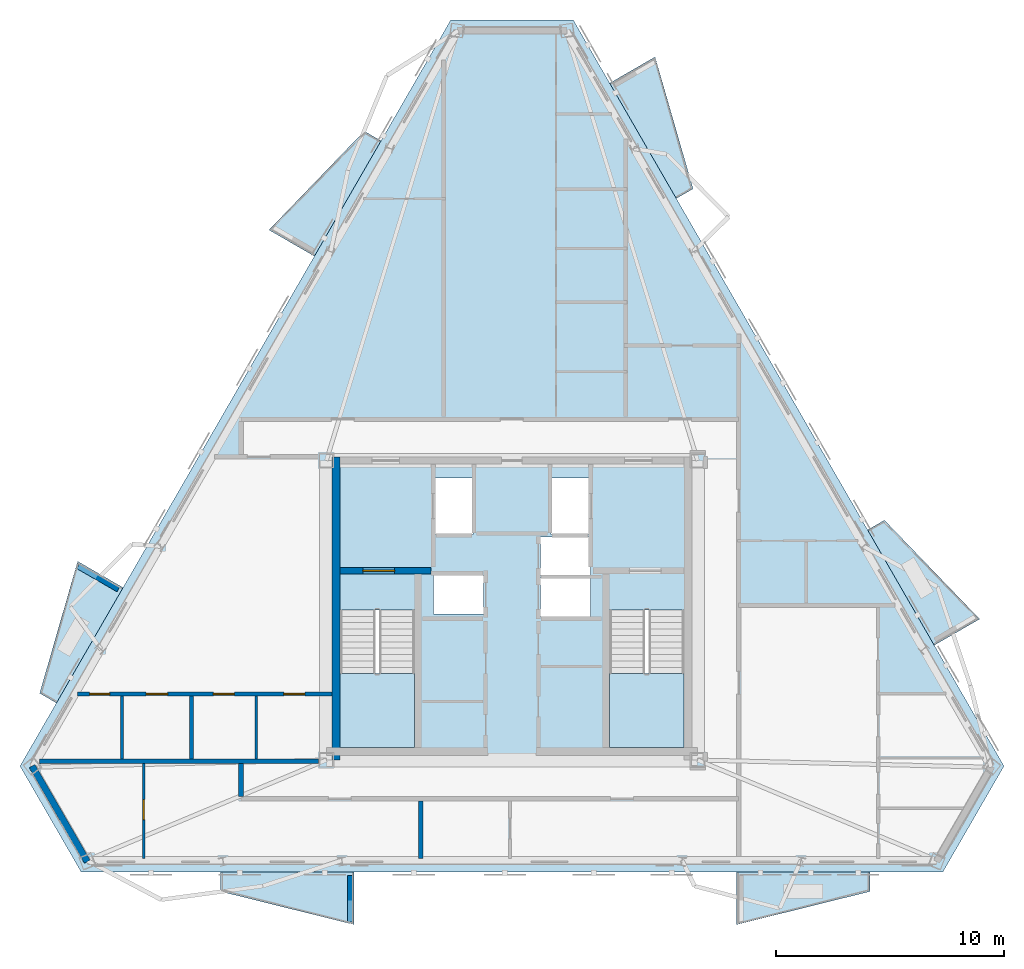
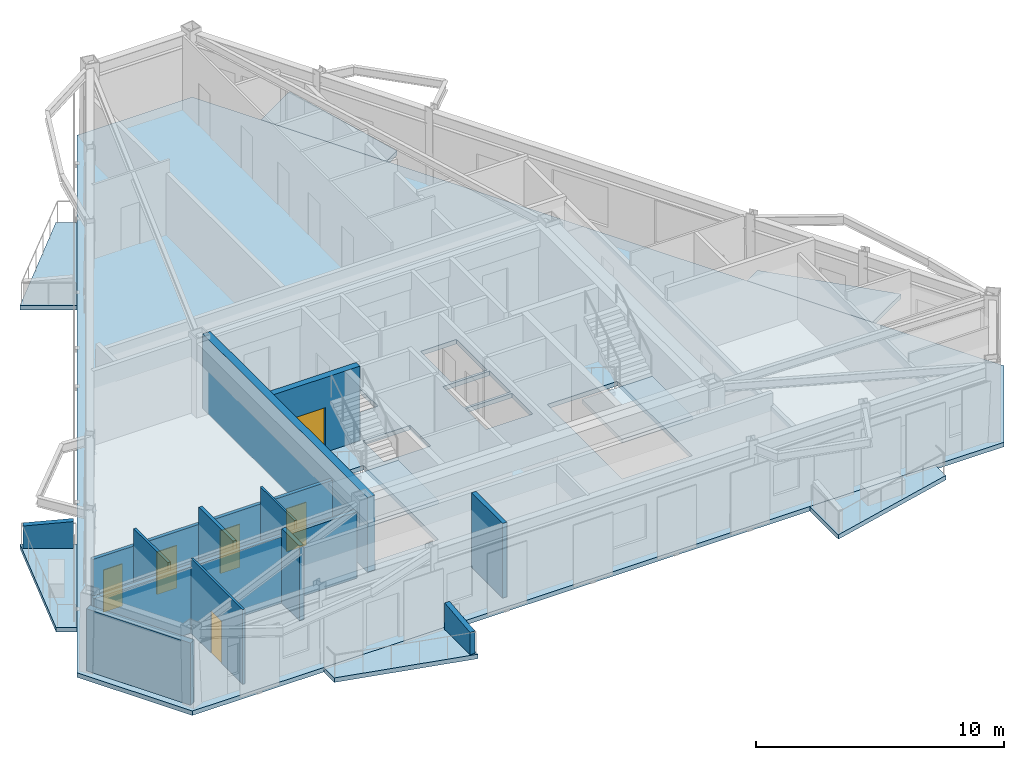
# One storey, part 2 of 9: 13 walls, 9 slabs, 6 doors, 6 openings, 2 elements without a shape of their own.
"""IFC4 building model written with IfcOpenShell, lengths in metres."""

from ifc_helpers import new_model, si_unit, direction, frame, frame_2d, origin, place, context, subcontext, project, spatial, polyline, rectangle, outline, extrude, material, layer, layer_set, type_object, element, fill, aggregate, save


model = new_model("IFC4")

# Units and contexts
model_context = context("Model", 3, precision=1e-05, world=origin(), true_north=direction((0.0, 1.0)))
body_context = subcontext(model_context, "Body", "Model", "MODEL_VIEW")
ifc_project = project(units=[si_unit("LENGTHUNIT", "METRE"), si_unit("AREAUNIT", "SQUARE_METRE"), si_unit("VOLUMEUNIT", "CUBIC_METRE"), si_unit("PLANEANGLEUNIT", "RADIAN"), si_unit("MASSUNIT", "GRAM", prefix="KILO")], contexts=[model_context])

# Site, building, storey
site_placement = place(None, origin())
site = spatial("IfcSite", under=ifc_project, at=site_placement, CompositionType="ELEMENT")
building_placement = place(site_placement, origin())
building = spatial("IfcBuilding", under=site, at=building_placement, Name="Oramaril Tower", CompositionType="ELEMENT")
storey_placement = place(building_placement, frame((0.0, 0.0, 269.39990234375)))
storey = spatial("IfcBuildingStorey", under=building, at=storey_placement, Name="L71", CompositionType="ELEMENT", Elevation=269.39990234375)

# Slabs
ifc_material_1 = material(Name="Concrete C40/50", Category="concrete")
ifc_layer_1 = layer(ifc_material_1, 0.199951171875)
ifc_layer_set_1 = layer_set([ifc_layer_1], Name="SLT-BAL20")
slab_type_1 = type_object("IfcSlabType", Name="SLT-BAL20", PredefinedType="FLOOR", material=ifc_layer_set_1)
slab_1_placement = place(storey_placement, frame((0.0, 0.0, -0.219970703125)))
element("IfcSlab", 1, at=slab_1_placement, inside=storey, type_object=slab_type_1, Name="L71 Cantilevered Balcony Slab L71-BAL-S1", PredefinedType="FLOOR", context=body_context, shape_type="SweptSolid", body=[
    extrude(outline(polyline([(24.71142578125, 6.07666015625), (30.5615234375, 6.07666015625), (30.5615234375, 3.774658203125), (24.71142578125, 5.224609375), (24.71142578125, 6.07666015625)])), origin(), (0.0, 0.0, 1.0), 0.219970703125),
])
slab_2_placement = place(storey_placement, frame((0.0, 0.0, -0.219970703125)))
element("IfcSlab", 2, at=slab_2_placement, inside=storey, type_object=slab_type_1, Name="L71 Cantilevered Balcony Slab L71-BAL-NE2", PredefinedType="FLOOR", context=body_context, shape_type="SweptSolid", body=[
    extrude(outline(polyline([(44.712890625, 35.65380859375), (41.787841796875, 40.719970703125), (43.781494140625, 41.870849609375), (45.45068359375, 36.07958984375), (44.712890625, 35.65380859375)])), origin(), (0.0, 0.0, 1.0), 0.219970703125),
])
slab_3_placement = place(storey_placement, frame((0.0, 0.0, -0.219970703125)))
element("IfcSlab", 3, at=slab_3_placement, inside=storey, type_object=slab_type_1, Name="L71 Cantilevered Balcony Slab L71-BAL-NW1", PredefinedType="FLOOR", context=body_context, shape_type="SweptSolid", body=[
    extrude(outline(polyline([(31.749755859375, 38.186767578125), (28.82470703125, 33.12060546875), (26.8310546875, 34.271484375), (31.011962890625, 38.61279296875), (31.749755859375, 38.186767578125)])), origin(), (0.0, 0.0, 1.0), 0.219970703125),
])
ifc_material_2 = material(Name="Concrete C50/60", Category="concrete")
ifc_layer_2 = layer(ifc_material_2, 0.219970703125)
ifc_layer_set_2 = layer_set([ifc_layer_2], Name="SLT-FLR22")
slab_type_2 = type_object("IfcSlabType", Name="SLT-FLR22", PredefinedType="FLOOR", material=ifc_layer_set_2)
slab_4_placement = place(storey_placement, frame((0.0, 0.0, -0.219970703125)))
element("IfcSlab", 4, at=slab_4_placement, inside=storey, type_object=slab_type_2, Name="L71 Structural Floor Slab", PredefinedType="FLOOR", context=body_context, shape_type="SweptSolid", body=[
    extrude(outline(polyline([(15.89697265625, 10.733154296875), (18.58642578125, 6.07470703125), (56.41357421875, 6.07470703125), (59.10302734375, 10.733154296875), (40.189453125, 43.4921875), (34.810546875, 43.4921875), (15.89697265625, 10.733154296875)]), holes=[polyline([(29.949951171875, 17.58935546875), (29.949951171875, 11.550048828125), (33.219970703125, 11.550048828125), (33.219970703125, 17.58935546875), (29.949951171875, 17.58935546875)]), polyline([(41.780029296875, 17.58935546875), (41.780029296875, 11.550048828125), (45.050048828125, 11.550048828125), (45.050048828125, 17.58935546875), (41.780029296875, 17.58935546875)]), polyline([(34.110107421875, 20.909912109375), (35.7900390625, 20.909912109375), (35.7900390625, 23.389892578125), (34.110107421875, 23.389892578125), (34.110107421875, 20.909912109375)]), polyline([(39.2099609375, 20.909912109375), (40.889892578125, 20.909912109375), (40.889892578125, 23.389892578125), (39.2099609375, 23.389892578125), (39.2099609375, 20.909912109375)]), polyline([(34.06005859375, 17.409912109375), (36.239990234375, 17.409912109375), (36.239990234375, 19.090087890625), (34.06005859375, 19.090087890625), (34.06005859375, 17.409912109375)]), polyline([(38.760009765625, 17.31005859375), (40.93994140625, 17.31005859375), (40.93994140625, 18.989990234375), (38.760009765625, 18.989990234375), (38.760009765625, 17.31005859375)]), polyline([(38.760009765625, 19.110107421875), (40.93994140625, 19.110107421875), (40.93994140625, 20.7900390625), (38.760009765625, 20.7900390625), (38.760009765625, 19.110107421875)])]), origin(), (0.0, 0.0, 1.0), 0.219970703125),
])

# Stair, slab
ifc_material_3 = material(Name="Concrete C50/60", Category="concrete")
stair_type = type_object("IfcStairType", Name="STT-DG-3900", PredefinedType="HALF_TURN_STAIR", material=ifc_material_3)
stair_1_placement = place(storey_placement, origin())
stair_1 = element("IfcStair", 5, at=stair_1_placement, inside=storey, type_object=stair_type, Name="L71 Protected PFP Exit Stair ST-1", PredefinedType="HALF_TURN_STAIR")
ifc_material_4 = material(Name="Concrete C50/60", Category="concrete")
ifc_layer_3 = layer(ifc_material_4, 0.199951171875)
ifc_layer_set_3 = layer_set([ifc_layer_3], Name="SLT-LND20")
slab_type_3 = type_object("IfcSlabType", Name="SLT-LND20", PredefinedType="LANDING", material=ifc_layer_set_3)
slab_5_placement = place(storey_placement, frame((0.0, 0.0, 1.75)))
slab_5 = element("IfcSlab", 6, at=slab_5_placement, type_object=slab_type_3, Name="ST-1 landing 1", PredefinedType="LANDING", context=body_context, shape_type="SweptSolid", body=[
    extrude(outline(polyline([(29.949951171875, 14.7900390625), (29.949951171875, 11.550048828125), (33.219970703125, 11.550048828125), (33.219970703125, 14.7900390625), (29.949951171875, 14.7900390625)])), origin(), (0.0, 0.0, 1.0), 0.2001953125),
])
aggregate(stair_1, [slab_5])

stair_2_placement = place(storey_placement, origin())
stair_2 = element("IfcStair", 7, at=stair_2_placement, inside=storey, type_object=stair_type, Name="L71 Protected PFP Exit Stair ST-2", PredefinedType="HALF_TURN_STAIR")
slab_6_placement = place(storey_placement, frame((0.0, 0.0, 1.75)))
slab_6 = element("IfcSlab", 8, at=slab_6_placement, type_object=slab_type_3, Name="ST-2 landing 1", PredefinedType="LANDING", context=body_context, shape_type="SweptSolid", body=[
    extrude(outline(polyline([(41.780029296875, 14.7900390625), (41.780029296875, 11.550048828125), (45.050048828125, 11.550048828125), (45.050048828125, 14.7900390625), (41.780029296875, 14.7900390625)])), origin(), (0.0, 0.0, 1.0), 0.2001953125),
])
aggregate(stair_2, [slab_6])

# Slabs
ifc_material_5 = material(Name="Concrete C40/50", Category="concrete")
ifc_layer_4 = layer(ifc_material_5, 0.18994140625)
ifc_layer_set_4 = layer_set([ifc_layer_4], Name="SLT-PLN19")
slab_type_4 = type_object("IfcSlabType", Name="SLT-PLN19", PredefinedType="FLOOR", material=ifc_layer_set_4)
slab_7_placement = place(storey_placement, frame((0.0, 0.0, -0.219970703125)))
element("IfcSlab", 9, at=slab_7_placement, inside=storey, type_object=slab_type_4, Name="L71 Tree Planter Balcony Slab L71-BAL-S2", PredefinedType="FLOOR", context=body_context, shape_type="SweptSolid", body=[
    extrude(outline(polyline([(47.363525390625, 6.07666015625), (53.21337890625, 6.07666015625), (53.21337890625, 5.224609375), (47.363525390625, 3.774658203125), (47.363525390625, 6.07666015625)])), origin(), (0.0, 0.0, 1.0), 0.219970703125),
])
slab_8_placement = place(storey_placement, frame((0.0, 0.0, -0.219970703125)))
element("IfcSlab", 10, at=slab_8_placement, inside=storey, type_object=slab_type_4, Name="L71 Tree Planter Balcony Slab L71-BAL-NE1", PredefinedType="FLOOR", context=body_context, shape_type="SweptSolid", body=[
    extrude(outline(polyline([(56.038818359375, 16.03662109375), (53.11376953125, 21.102783203125), (53.8515625, 21.52880859375), (58.032470703125, 17.1875), (56.038818359375, 16.03662109375)])), origin(), (0.0, 0.0, 1.0), 0.219970703125),
])
slab_9_placement = place(storey_placement, frame((0.0, 0.0, -0.219970703125)))
element("IfcSlab", 11, at=slab_9_placement, inside=storey, type_object=slab_type_4, Name="L71 Tree Planter Balcony Slab L71-BAL-NW2", PredefinedType="FLOOR", context=body_context, shape_type="SweptSolid", body=[
    extrude(outline(polyline([(20.423583984375, 18.569580078125), (17.498779296875, 13.50341796875), (16.760986328125, 13.929443359375), (18.43017578125, 19.720703125), (20.423583984375, 18.569580078125)])), origin(), (0.0, 0.0, 1.0), 0.219970703125),
])

# Walls
ifc_material_6 = material(Name="Warm Cream Limestone", Category="masonry")
ifc_layer_5 = layer(ifc_material_6, 0.2900390625)
ifc_layer_set_5 = layer_set([ifc_layer_5], Name="WT-EXT29")
wall_type_1 = type_object("IfcWallType", Name="WT-EXT29", PredefinedType="SOLIDWALL", material=ifc_layer_set_5)
wall_1_placement = place(storey_placement, frame((16.42822265625, 10.733154296875, 0.0), z_axis=(0.0, 0.0, 1.0), x_axis=(0.499973841066, -0.866040506125, 0.0)))
element("IfcWall", 12, at=wall_1_placement, inside=storey, type_object=wall_type_1, Name="L71 Tower Limestone Facade Wall 1M", PredefinedType="SOLIDWALL", context=body_context, shape_type="SweptSolid", body=[
    extrude(rectangle(XDim=4.847900390625, YDim=0.2900390625, at=frame_2d((2.423828125, 0.0))), origin(), (0.0, 0.0, 1.0), 3.05810546875),
])
ifc_material_7 = material(Name="Concrete C40/50", Category="concrete")
ifc_layer_6 = layer(ifc_material_7, 0.22998046875)
ifc_layer_set_6 = layer_set([ifc_layer_6], Name="WT-PRP23")
wall_type_2 = type_object("IfcWallType", Name="WT-PRP23", PredefinedType="PARAPET", material=ifc_layer_set_6)
for number, where, z_axis, x_axis, name in (
    (13, (30.381591796875, 5.936767578125, 0.0), (0.0, 0.0, 1.0), (0.0, -1.0, 0.0), "L71 Trapezoidal Balcony Frame Cheek L71-BAL-S1-R"),
    (14, (20.21240234375, 18.483642578125, 0.0), (0.0, 0.0, 1.0), (-0.866012356593, 0.500022597718, 0.0), "L71 Trapezoidal Balcony Frame Cheek L71-BAL-NW2-L"),
):
    element("IfcWall", number, at=place(storey_placement, frame(where, z_axis=z_axis, x_axis=x_axis)), inside=storey, type_object=wall_type_2, Name=name, PredefinedType="PARAPET", context=body_context, shape_type="SweptSolid", body=[
        extrude(outline(polyline([(0.0, 0.0), (2.0419921875, 0.0), (2.0419921875, 1.10009765625), (0.0, 1.320068359375), (0.0, 0.0)])), frame((0.0, 0.114990234375, 0.0), z_axis=(0.0, -1.0, 0.0), x_axis=(1.0, 0.0, 0.0)), (0.0, 0.0, 1.0), 0.22998046875),
    ])

# Wall, opening, door
ifc_material_8 = material(Name="Acoustic Gypsum Board Partition")
ifc_layer_7 = layer(ifc_material_8, 0.10009765625)
ifc_layer_set_7 = layer_set([ifc_layer_7], Name="WT-PT10")
wall_type_3 = type_object("IfcWallType", Name="WT-PT10", PredefinedType="PARTITIONING", material=ifc_layer_set_7)
wall_2_placement = place(storey_placement, frame((21.330078125, 6.68359375, 0.0), z_axis=(0.0, 0.0, 1.0), x_axis=(0.0, 1.0, 0.0)))
wall_2 = element("IfcWall", 15, at=wall_2_placement, inside=storey, type_object=wall_type_3, Name="L71 Interior Partition PT-10", PredefinedType="PARTITIONING", context=body_context, shape_type="SweptSolid", body=[
    extrude(rectangle(XDim=4.162353515625, YDim=0.10009765625, at=frame_2d((2.0810546875, 0.0))), origin(), (0.0, 0.0, 1.0), 3.68017578125),
])
opening_1_placement = place(wall_2_placement, frame((1.693603515625, 0.0, 0.0)))
opening_1 = element("IfcOpeningElement", 16, at=opening_1_placement, cuts=wall_2, Name="Opening D-L71-15", PredefinedType="OPENING", context=body_context, shape_type="SweptSolid", body=[
    extrude(rectangle(XDim=0.8798828125, YDim=2.080078125, at=frame_2d((0.43994140625, 1.0400390625))), frame((0.0, 0.050048828125, 0.0), z_axis=(0.0, -1.0, 0.0), x_axis=(1.0, 0.0, 0.0)), (0.0, 0.0, 1.0), 0.10009765625),
])
ifc_material_9 = material(Name="FSC Brazilian Freijo Hardwood", Category="wood")
door_type_1 = type_object("IfcDoorType", Name="DT-BATH", OperationType="NOTDEFINED", PredefinedType="DOOR", material=ifc_material_9)
door_1_placement = place(opening_1_placement, origin())
door_1 = element("IfcDoor", 17, at=door_1_placement, inside=storey, type_object=door_type_1, Name="L71 Flat L71-U1 Bathroom Door D-L71-15", OperationType="SINGLE_SWING_RIGHT", OverallHeight=2.080078125, OverallWidth=0.8798828125, PredefinedType="DOOR", context=body_context, shape_type="SweptSolid", body=[
    extrude(rectangle(XDim=0.8798828125, YDim=2.080078125, at=frame_2d((0.43994140625, 1.0400390625))), frame((0.0, 0.02490234375, 0.0), z_axis=(0.0, -1.0, 0.0), x_axis=(1.0, 0.0, 0.0)), (0.0, 0.0, 1.0), 0.050048828125),
])
fill(opening_1, door_1)

# Walls
wall_3_placement = place(storey_placement, frame((26.27001953125, 11.053955078125, 0.0), z_axis=(0.0, 0.0, 1.0), x_axis=(0.0, 1.0, 0.0)))
element("IfcWall", 18, at=wall_3_placement, inside=storey, type_object=wall_type_3, Name="L71 Interior Partition PT-10", PredefinedType="PARTITIONING", context=body_context, shape_type="SweptSolid", body=[
    extrude(rectangle(XDim=2.761962890625, YDim=0.10009765625, at=frame_2d((1.380859375, 0.0))), origin(), (0.0, 0.0, 1.0), 3.68017578125),
])
ifc_material_10 = material(Name="Acoustic Gypsum Board Partition")
ifc_layer_8 = layer(ifc_material_10, 0.1201171875)
ifc_layer_set_8 = layer_set([ifc_layer_8], Name="WT-PT12")
wall_type_4 = type_object("IfcWallType", Name="WT-PT12", PredefinedType="PARTITIONING", material=ifc_layer_set_8)
wall_4_placement = place(storey_placement, frame((20.3798828125, 11.053955078125, 0.0), z_axis=(0.0, 0.0, 1.0), x_axis=(0.0, 1.0, 0.0)))
element("IfcWall", 19, at=wall_4_placement, inside=storey, type_object=wall_type_4, Name="L71 Interior Partition PT-12", PredefinedType="PARTITIONING", context=body_context, shape_type="SweptSolid", body=[
    extrude(rectangle(XDim=2.761962890625, YDim=0.1201171875, at=frame_2d((1.380859375, 0.0))), origin(), (0.0, 0.0, 1.0), 3.68017578125),
])

# Wall, openings, doors
ifc_material_11 = material(Name="Acoustic Gypsum Board Partition")
ifc_layer_9 = layer(ifc_material_11, 0.159912109375)
ifc_layer_set_9 = layer_set([ifc_layer_9], Name="WT-PT16")
wall_type_5 = type_object("IfcWallType", Name="WT-PT16", PredefinedType="PARTITIONING", material=ifc_layer_set_9)
wall_5_placement = place(storey_placement, frame((18.4287109375, 13.89990234375, 0.0), z_axis=(0.0, 0.0, 1.0), x_axis=(1.0, 0.0, 0.0)))
wall_5 = element("IfcWall", 20, at=wall_5_placement, inside=storey, type_object=wall_type_5, Name="L71 Interior Partition PT-16", PredefinedType="PARTITIONING", context=body_context, shape_type="SweptSolid", body=[
    extrude(rectangle(XDim=11.1572265625, YDim=0.159912109375, at=frame_2d((5.57861328125, 0.0))), origin(), (0.0, 0.0, 1.0), 2.820068359375),
])
opening_2_placement = place(wall_5_placement, frame((0.522216796875, 0.0, 0.0)))
opening_2 = element("IfcOpeningElement", 21, at=opening_2_placement, cuts=wall_5, Name="Opening D-L71-03", PredefinedType="OPENING", context=body_context, shape_type="SweptSolid", body=[
    extrude(rectangle(XDim=0.8798828125, YDim=2.080078125, at=frame_2d((0.43994140625, 1.0400390625))), frame((0.0, 0.080078125, 0.0), z_axis=(0.0, -1.0, 0.0), x_axis=(1.0, 0.0, 0.0)), (0.0, 0.0, 1.0), 0.159912109375),
])
opening_3_placement = place(wall_5_placement, frame((3.003173828125, 0.0, 0.0)))
opening_3 = element("IfcOpeningElement", 22, at=opening_3_placement, cuts=wall_5, Name="Opening D-L71-04", PredefinedType="OPENING", context=body_context, shape_type="SweptSolid", body=[
    extrude(rectangle(XDim=0.949951171875, YDim=2.10009765625, at=frame_2d((0.47509765625, 1.050048828125))), frame((0.0, 0.080078125, 0.0), z_axis=(0.0, -1.0, 0.0), x_axis=(1.0, 0.0, 0.0)), (0.0, 0.0, 1.0), 0.159912109375),
])
opening_4_placement = place(wall_5_placement, frame((5.964111328125, 0.0, 0.0)))
opening_4 = element("IfcOpeningElement", 23, at=opening_4_placement, cuts=wall_5, Name="Opening D-L71-05", PredefinedType="OPENING", context=body_context, shape_type="SweptSolid", body=[
    extrude(rectangle(XDim=0.919921875, YDim=2.1201171875, at=frame_2d((0.4599609375, 1.06005859375))), frame((0.0, 0.080078125, 0.0), z_axis=(0.0, -1.0, 0.0), x_axis=(1.0, 0.0, 0.0)), (0.0, 0.0, 1.0), 0.159912109375),
])
opening_5_placement = place(wall_5_placement, frame((9.05322265625, 0.0, 0.0)))
opening_5 = element("IfcOpeningElement", 24, at=opening_5_placement, cuts=wall_5, Name="Opening D-L71-06", PredefinedType="OPENING", context=body_context, shape_type="SweptSolid", body=[
    extrude(rectangle(XDim=0.919921875, YDim=2.1201171875, at=frame_2d((0.4599609375, 1.06005859375))), frame((0.0, 0.080078125, 0.0), z_axis=(0.0, -1.0, 0.0), x_axis=(1.0, 0.0, 0.0)), (0.0, 0.0, 1.0), 0.159912109375),
])
door_2_placement = place(opening_2_placement, origin())
door_2 = element("IfcDoor", 25, at=door_2_placement, inside=storey, type_object=door_type_1, Name="L71 Flat L71-U3 Bathroom Door D-L71-03", OperationType="SINGLE_SWING_RIGHT", OverallHeight=2.080078125, OverallWidth=0.8798828125, PredefinedType="DOOR", context=body_context, shape_type="SweptSolid", body=[
    extrude(rectangle(XDim=0.8798828125, YDim=2.080078125, at=frame_2d((0.43994140625, 1.0400390625))), frame((0.0, 0.02490234375, 0.0), z_axis=(0.0, -1.0, 0.0), x_axis=(1.0, 0.0, 0.0)), (0.0, 0.0, 1.0), 0.050048828125),
])
fill(opening_2, door_2)
ifc_material_12 = material(Name="FSC Brazilian Freijo Hardwood", Category="wood")
door_type_2 = type_object("IfcDoorType", Name="DT-BED", OperationType="NOTDEFINED", PredefinedType="DOOR", material=ifc_material_12)
door_3_placement = place(opening_4_placement, origin())
door_3 = element("IfcDoor", 26, at=door_3_placement, inside=storey, type_object=door_type_2, Name="L71 Flat L71-U3 Bedroom 2 Door D-L71-05", OperationType="SINGLE_SWING_RIGHT", OverallHeight=2.1201171875, OverallWidth=0.919921875, PredefinedType="DOOR", context=body_context, shape_type="SweptSolid", body=[
    extrude(rectangle(XDim=0.919921875, YDim=2.1201171875, at=frame_2d((0.4599609375, 1.06005859375))), frame((0.0, 0.02490234375, 0.0), z_axis=(0.0, -1.0, 0.0), x_axis=(1.0, 0.0, 0.0)), (0.0, 0.0, 1.0), 0.050048828125),
])
fill(opening_4, door_3)
door_4_placement = place(opening_5_placement, origin())
door_4 = element("IfcDoor", 27, at=door_4_placement, inside=storey, type_object=door_type_2, Name="L71 Flat L71-U3 Master Bedroom Door D-L71-06", OperationType="SINGLE_SWING_LEFT", OverallHeight=2.1201171875, OverallWidth=0.919921875, PredefinedType="DOOR", context=body_context, shape_type="SweptSolid", body=[
    extrude(rectangle(XDim=0.919921875, YDim=2.1201171875, at=frame_2d((0.4599609375, 1.06005859375))), frame((0.0, 0.02490234375, 0.0), z_axis=(0.0, -1.0, 0.0), x_axis=(1.0, 0.0, 0.0)), (0.0, 0.0, 1.0), 0.050048828125),
])
fill(opening_5, door_4)
ifc_material_13 = material(Name="FSC Brazilian Freijo Hardwood", Category="wood")
door_type_3 = type_object("IfcDoorType", Name="DT-STDY", OperationType="NOTDEFINED", PredefinedType="DOOR", material=ifc_material_13)
door_5_placement = place(opening_3_placement, origin())
door_5 = element("IfcDoor", 28, at=door_5_placement, inside=storey, type_object=door_type_3, Name="L71 Flat L71-U3 Kitchen Door D-L71-04", OperationType="SINGLE_SWING_LEFT", OverallHeight=2.10009765625, OverallWidth=0.949951171875, PredefinedType="DOOR", context=body_context, shape_type="SweptSolid", body=[
    extrude(rectangle(XDim=0.949951171875, YDim=2.10009765625, at=frame_2d((0.47509765625, 1.050048828125))), frame((0.0, 0.02490234375, 0.0), z_axis=(0.0, -1.0, 0.0), x_axis=(1.0, 0.0, 0.0)), (0.0, 0.0, 1.0), 0.050048828125),
])
fill(opening_3, door_5)

# Walls
wall_6_placement = place(storey_placement, frame((23.429931640625, 11.053955078125, 0.0), z_axis=(0.0, 0.0, 1.0), x_axis=(0.0, 1.0, 0.0)))
element("IfcWall", 29, at=wall_6_placement, inside=storey, type_object=wall_type_5, Name="L71 Interior Partition PT-16", PredefinedType="PARTITIONING", context=body_context, shape_type="SweptSolid", body=[
    extrude(rectangle(XDim=2.761962890625, YDim=0.159912109375, at=frame_2d((1.380859375, 0.0))), origin(), (0.0, 0.0, 1.0), 3.68017578125),
])
ifc_material_14 = material(Name="Autoclaved Cellular Concrete Block", Category="concrete")
ifc_layer_10 = layer(ifc_material_14, 0.199951171875)
ifc_layer_set_10 = layer_set([ifc_layer_10], Name="WT-PT20")
wall_type_6 = type_object("IfcWallType", Name="WT-PT20", PredefinedType="PARTITIONING", material=ifc_layer_set_10)
wall_7_placement = place(storey_placement, frame((16.76318359375, 10.949951171875, 0.0), z_axis=(0.0, 0.0, 1.0), x_axis=(1.0, 0.0, 0.0)))
element("IfcWall", 30, at=wall_7_placement, inside=storey, type_object=wall_type_6, Name="L71 Interior Partition PT-20", PredefinedType="PARTITIONING", context=body_context, shape_type="SweptSolid", body=[
    extrude(rectangle(XDim=12.246826171875, YDim=0.199951171875, at=frame_2d((6.12353515625, 0.0))), origin(), (0.0, 0.0, 1.0), 3.26611328125),
])
wall_8_placement = place(storey_placement, frame((25.60009765625, 9.404052734375, 0.0), z_axis=(0.0, 0.0, 1.0), x_axis=(0.0, 1.0, 0.0)))
element("IfcWall", 31, at=wall_8_placement, inside=storey, type_object=wall_type_6, Name="L71 Interior Partition PT-20", PredefinedType="PARTITIONING", context=body_context, shape_type="SweptSolid", body=[
    extrude(rectangle(XDim=1.44189453125, YDim=0.199951171875, at=frame_2d((0.720947265625, 0.0))), origin(), (0.0, 0.0, 1.0), 3.68017578125),
])
wall_9_placement = place(storey_placement, frame((33.5, 6.68359375, 0.0), z_axis=(0.0, 0.0, 1.0), x_axis=(0.0, 1.0, 0.0)))
element("IfcWall", 32, at=wall_9_placement, inside=storey, type_object=wall_type_6, Name="L71 Interior Partition PT-20", PredefinedType="PARTITIONING", context=body_context, shape_type="SweptSolid", body=[
    extrude(rectangle(XDim=2.512451171875, YDim=0.199951171875, at=frame_2d((1.25634765625, 0.0))), origin(), (0.0, 0.0, 1.0), 3.68017578125),
])

# Wall, opening, door
ifc_material_15 = material(Name="Concrete C50/60", Category="concrete")
ifc_layer_11 = layer(ifc_material_15, 0.300048828125)
ifc_layer_set_11 = layer_set([ifc_layer_11], Name="WT-SH30")
wall_type_7 = type_object("IfcWallType", Name="WT-SH30", PredefinedType="SHEAR", material=ifc_layer_set_11)
wall_10_placement = place(storey_placement, frame((29.93994140625, 19.31005859375, 0.0), z_axis=(0.0, 0.0, 1.0), x_axis=(1.0, 0.0, 0.0)))
wall_10 = element("IfcWall", 33, at=wall_10_placement, inside=storey, type_object=wall_type_7, Name="L71 Core Shear Wall CW-ST1N", PredefinedType="SHEAR", context=body_context, shape_type="SweptSolid", body=[
    extrude(rectangle(XDim=4.010009765625, YDim=0.300048828125, at=frame_2d((2.0048828125, 0.0))), origin(), (0.0, 0.0, 1.0), 3.68017578125),
])
opening_6_placement = place(wall_10_placement, frame((1.010009765625, 0.0, 0.0)))
opening_6 = element("IfcOpeningElement", 34, at=opening_6_placement, cuts=wall_10, Name="Opening D-L71-ST1", PredefinedType="OPENING", context=body_context, shape_type="SweptSolid", body=[
    extrude(rectangle(XDim=1.39990234375, YDim=2.199951171875, at=frame_2d((0.699951171875, 1.10009765625))), frame((0.0, 0.14990234375, 0.0), z_axis=(0.0, -1.0, 0.0), x_axis=(1.0, 0.0, 0.0)), (0.0, 0.0, 1.0), 0.300048828125),
])
ifc_material_16 = material(Name="Painted Galvanised Steel", Category="steel")
door_type_4 = type_object("IfcDoorType", Name="DT-ST", OperationType="NOTDEFINED", PredefinedType="DOOR", material=ifc_material_16)
door_6_placement = place(opening_6_placement, origin())
door_6 = element("IfcDoor", 35, at=door_6_placement, inside=storey, type_object=door_type_4, Name="L71 Protected Stair ST-1 Fire Door", OperationType="SINGLE_SWING_LEFT", OverallHeight=2.199951171875, OverallWidth=1.39990234375, PredefinedType="DOOR", context=body_context, shape_type="SweptSolid", body=[
    extrude(rectangle(XDim=1.39990234375, YDim=2.199951171875, at=frame_2d((0.699951171875, 1.10009765625))), frame((0.0, 0.02490234375, 0.0), z_axis=(0.0, -1.0, 0.0), x_axis=(1.0, 0.0, 0.0)), (0.0, 0.0, 1.0), 0.050048828125),
])
fill(opening_6, door_6)

# Wall
ifc_material_17 = material(Name="Concrete C50/60", Category="concrete")
ifc_layer_12 = layer(ifc_material_17, 0.35009765625)
ifc_layer_set_12 = layer_set([ifc_layer_12], Name="WT-SH35")
wall_type_8 = type_object("IfcWallType", Name="WT-SH35", PredefinedType="SHEAR", material=ifc_layer_set_12)
wall_11_placement = place(storey_placement, frame((29.764892578125, 11.0, 0.0), z_axis=(0.0, 0.0, 1.0), x_axis=(0.0, 1.0, 0.0)))
element("IfcWall", 36, at=wall_11_placement, inside=storey, type_object=wall_type_8, Name="L71 Core Shear Wall CW-W", PredefinedType="SHEAR", context=body_context, shape_type="SweptSolid", body=[
    extrude(rectangle(XDim=13.300048828125, YDim=0.35009765625, at=frame_2d((6.64990234375, 0.0))), origin(), (0.0, 0.0, 1.0), 3.68017578125),
])

save(model, "model.ifc")
